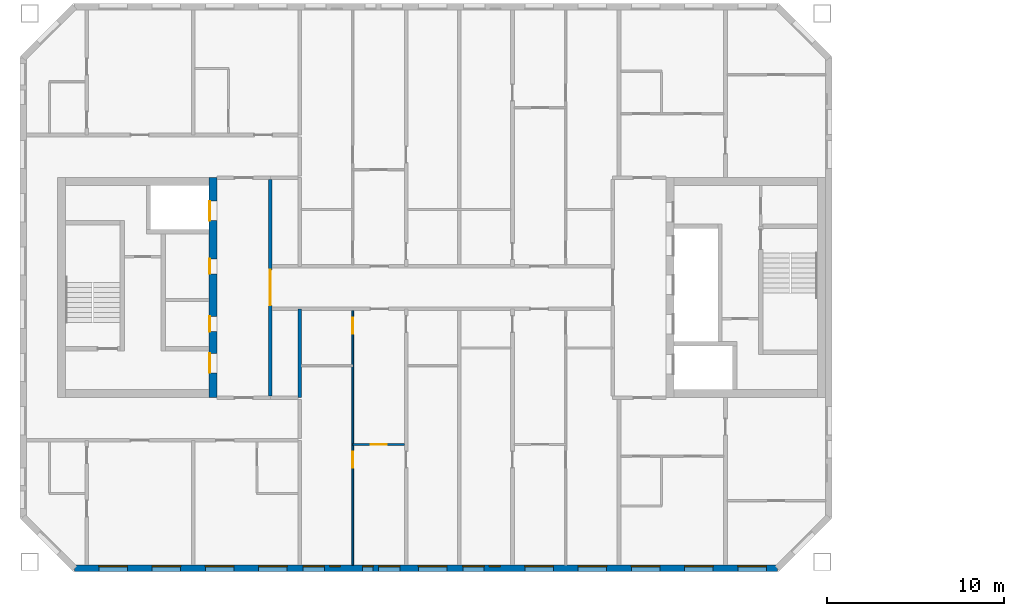
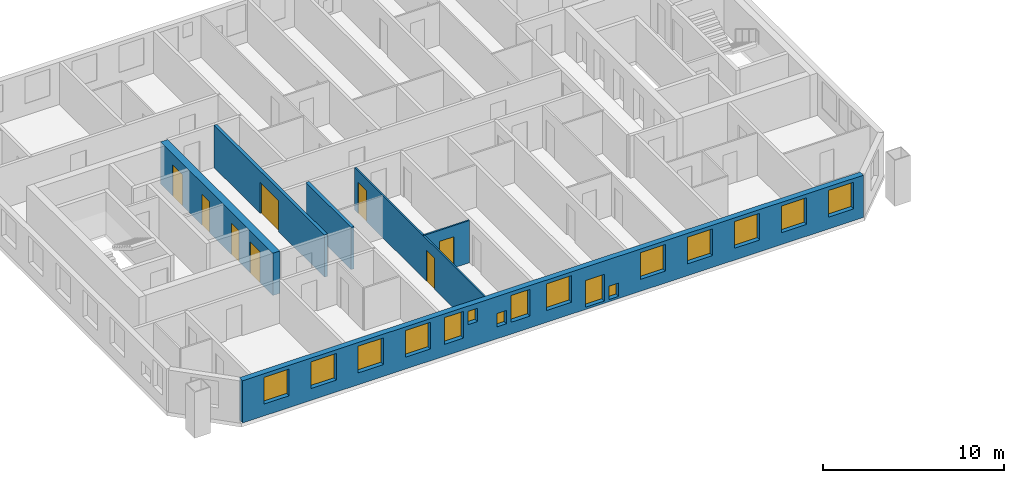
# One storey, part 3 of 15: 16 windows, 8 doors, 6 walls, 24 openings.
"""IFC4 building model written with IfcOpenShell, lengths in metres."""

from ifc_helpers import new_model, si_unit, direction, frame, frame_2d, origin, place, context, subcontext, project, spatial, rectangle, extrude, material, layer, layer_set, type_object, element, fill, save


model = new_model("IFC4")

# Units and contexts
model_context = context("Model", 3, precision=1e-05, world=origin(), true_north=direction((0.0, 1.0)))
body_context = subcontext(model_context, "Body", "Model", "MODEL_VIEW")
ifc_project = project(units=[si_unit("LENGTHUNIT", "METRE"), si_unit("AREAUNIT", "SQUARE_METRE"), si_unit("VOLUMEUNIT", "CUBIC_METRE"), si_unit("PLANEANGLEUNIT", "RADIAN"), si_unit("MASSUNIT", "GRAM", prefix="KILO")], contexts=[model_context])

# Site, building, storey
site_placement = place(None, origin())
site = spatial("IfcSite", under=ifc_project, at=site_placement, CompositionType="ELEMENT")
building_placement = place(site_placement, origin())
building = spatial("IfcBuilding", under=site, at=building_placement, Name="Tuart Gate Housing", CompositionType="ELEMENT")
storey_placement = place(building_placement, frame((0.0, 0.0, 188.199951171875)))
storey = spatial("IfcBuildingStorey", under=building, at=storey_placement, Name="L53", CompositionType="ELEMENT", Elevation=188.199951171875)

# Wall, openings, windows
ifc_material_1 = material(Name="Brick", Category="masonry")
ifc_layer_1 = layer(ifc_material_1, 0.360107421875)
ifc_layer_set_1 = layer_set([ifc_layer_1], Name="Brick pier and spandrel wall 360")
wall_type_1 = type_object("IfcWallType", Name="Brick pier and spandrel wall 360", PredefinedType="STANDARD", material=ifc_layer_set_1)
wall_1_placement = place(storey_placement, frame((33.32470703125, 54.179931640625, 0.0), z_axis=(0.0, 0.0, 1.0), x_axis=(1.0, 0.0, 0.0)))
wall_1 = element("IfcWall", 1, at=wall_1_placement, inside=storey, type_object=wall_type_1, Name="External wall A-S L53", PredefinedType="STANDARD", context=body_context, shape_type="SweptSolid", body=[
    extrude(rectangle(XDim=39.600830078125, YDim=0.360107421875, at=frame_2d((19.80029296875, 0.0))), origin(), (0.0, 0.0, 1.0), 2.85009765625),
])
opening_1_placement = place(wall_1_placement, frame((1.37548828125, 0.0, 0.800048828125)))
opening_1 = element("IfcOpeningElement", 2, at=opening_1_placement, cuts=wall_1, Name="Opening W1", PredefinedType="OPENING", context=body_context, shape_type="SweptSolid", body=[
    extrude(rectangle(XDim=1.60009765625, YDim=1.800048828125, at=frame_2d((0.800048828125, 0.89990234375))), frame((0.0, 0.18994140625, 0.0), z_axis=(0.0, -1.0, 0.0), x_axis=(1.0, 0.0, 0.0)), (0.0, 0.0, 1.0), 0.380126953125),
])
opening_2_placement = place(wall_1_placement, frame((4.37548828125, 0.0, 0.800048828125)))
opening_2 = element("IfcOpeningElement", 3, at=opening_2_placement, cuts=wall_1, Name="Opening W1", PredefinedType="OPENING", context=body_context, shape_type="SweptSolid", body=[
    extrude(rectangle(XDim=1.60009765625, YDim=1.800048828125, at=frame_2d((0.800048828125, 0.89990234375))), frame((0.0, 0.18994140625, 0.0), z_axis=(0.0, -1.0, 0.0), x_axis=(1.0, 0.0, 0.0)), (0.0, 0.0, 1.0), 0.380126953125),
])
opening_3_placement = place(wall_1_placement, frame((7.37548828125, 0.0, 0.800048828125)))
opening_3 = element("IfcOpeningElement", 4, at=opening_3_placement, cuts=wall_1, Name="Opening W1", PredefinedType="OPENING", context=body_context, shape_type="SweptSolid", body=[
    extrude(rectangle(XDim=1.60009765625, YDim=1.800048828125, at=frame_2d((0.800048828125, 0.89990234375))), frame((0.0, 0.18994140625, 0.0), z_axis=(0.0, -1.0, 0.0), x_axis=(1.0, 0.0, 0.0)), (0.0, 0.0, 1.0), 0.380126953125),
])
opening_4_placement = place(wall_1_placement, frame((10.37548828125, 0.0, 0.800048828125)))
opening_4 = element("IfcOpeningElement", 5, at=opening_4_placement, cuts=wall_1, Name="Opening W1", PredefinedType="OPENING", context=body_context, shape_type="SweptSolid", body=[
    extrude(rectangle(XDim=1.60009765625, YDim=1.800048828125, at=frame_2d((0.800048828125, 0.89990234375))), frame((0.0, 0.18994140625, 0.0), z_axis=(0.0, -1.0, 0.0), x_axis=(1.0, 0.0, 0.0)), (0.0, 0.0, 1.0), 0.380126953125),
])
opening_5_placement = place(wall_1_placement, frame((12.87548828125, 0.0, 0.800048828125)))
opening_5 = element("IfcOpeningElement", 6, at=opening_5_placement, cuts=wall_1, Name="Opening W1B", PredefinedType="OPENING", context=body_context, shape_type="SweptSolid", body=[
    extrude(rectangle(XDim=1.199951171875, YDim=1.800048828125, at=frame_2d((0.60009765625, 0.89990234375))), frame((0.0, 0.18994140625, 0.0), z_axis=(0.0, -1.0, 0.0), x_axis=(1.0, 0.0, 0.0)), (0.0, 0.0, 1.0), 0.380126953125),
])
opening_6_placement = place(wall_1_placement, frame((16.225341796875, 0.0, 0.800048828125)))
opening_6 = element("IfcOpeningElement", 7, at=opening_6_placement, cuts=wall_1, Name="Opening W1W", PredefinedType="OPENING", context=body_context, shape_type="SweptSolid", body=[
    extrude(rectangle(XDim=0.60009765625, YDim=0.89990234375, at=frame_2d((0.300048828125, 0.449951171875))), frame((0.0, 0.18994140625, 0.0), z_axis=(0.0, -1.0, 0.0), x_axis=(1.0, 0.0, 0.0)), (0.0, 0.0, 1.0), 0.380126953125),
])
opening_7_placement = place(wall_1_placement, frame((19.37548828125, 0.0, 0.800048828125)))
opening_7 = element("IfcOpeningElement", 8, at=opening_7_placement, cuts=wall_1, Name="Opening W1", PredefinedType="OPENING", context=body_context, shape_type="SweptSolid", body=[
    extrude(rectangle(XDim=1.60009765625, YDim=1.800048828125, at=frame_2d((0.800048828125, 0.89990234375))), frame((0.0, 0.18994140625, 0.0), z_axis=(0.0, -1.0, 0.0), x_axis=(1.0, 0.0, 0.0)), (0.0, 0.0, 1.0), 0.380126953125),
])
opening_8_placement = place(wall_1_placement, frame((21.87548828125, 0.0, 0.14990234375)))
opening_8 = element("IfcOpeningElement", 9, at=opening_8_placement, cuts=wall_1, Name="Opening W1B", PredefinedType="OPENING", context=body_context, shape_type="SweptSolid", body=[
    extrude(rectangle(XDim=1.199951171875, YDim=1.800048828125, at=frame_2d((0.60009765625, 0.89990234375))), frame((0.0, 0.18994140625, 0.0), z_axis=(0.0, -1.0, 0.0), x_axis=(1.0, 0.0, 0.0)), (0.0, 0.0, 1.0), 0.380126953125),
])
opening_9_placement = place(wall_1_placement, frame((25.37548828125, 0.0, 0.800048828125)))
opening_9 = element("IfcOpeningElement", 10, at=opening_9_placement, cuts=wall_1, Name="Opening W1", PredefinedType="OPENING", context=body_context, shape_type="SweptSolid", body=[
    extrude(rectangle(XDim=1.60009765625, YDim=1.800048828125, at=frame_2d((0.800048828125, 0.89990234375))), frame((0.0, 0.18994140625, 0.0), z_axis=(0.0, -1.0, 0.0), x_axis=(1.0, 0.0, 0.0)), (0.0, 0.0, 1.0), 0.380126953125),
])
opening_10_placement = place(wall_1_placement, frame((28.37548828125, 0.0, 0.800048828125)))
opening_10 = element("IfcOpeningElement", 11, at=opening_10_placement, cuts=wall_1, Name="Opening W1", PredefinedType="OPENING", context=body_context, shape_type="SweptSolid", body=[
    extrude(rectangle(XDim=1.60009765625, YDim=1.800048828125, at=frame_2d((0.800048828125, 0.89990234375))), frame((0.0, 0.18994140625, 0.0), z_axis=(0.0, -1.0, 0.0), x_axis=(1.0, 0.0, 0.0)), (0.0, 0.0, 1.0), 0.380126953125),
])
opening_11_placement = place(wall_1_placement, frame((31.37548828125, 0.0, 0.800048828125)))
opening_11 = element("IfcOpeningElement", 12, at=opening_11_placement, cuts=wall_1, Name="Opening W1", PredefinedType="OPENING", context=body_context, shape_type="SweptSolid", body=[
    extrude(rectangle(XDim=1.60009765625, YDim=1.800048828125, at=frame_2d((0.800048828125, 0.89990234375))), frame((0.0, 0.18994140625, 0.0), z_axis=(0.0, -1.0, 0.0), x_axis=(1.0, 0.0, 0.0)), (0.0, 0.0, 1.0), 0.380126953125),
])
opening_12_placement = place(wall_1_placement, frame((34.37548828125, 0.0, 0.800048828125)))
opening_12 = element("IfcOpeningElement", 13, at=opening_12_placement, cuts=wall_1, Name="Opening W1", PredefinedType="OPENING", context=body_context, shape_type="SweptSolid", body=[
    extrude(rectangle(XDim=1.60009765625, YDim=1.800048828125, at=frame_2d((0.800048828125, 0.89990234375))), frame((0.0, 0.18994140625, 0.0), z_axis=(0.0, -1.0, 0.0), x_axis=(1.0, 0.0, 0.0)), (0.0, 0.0, 1.0), 0.380126953125),
])
opening_13_placement = place(wall_1_placement, frame((37.37548828125, 0.0, 0.800048828125)))
opening_13 = element("IfcOpeningElement", 14, at=opening_13_placement, cuts=wall_1, Name="Opening W1", PredefinedType="OPENING", context=body_context, shape_type="SweptSolid", body=[
    extrude(rectangle(XDim=1.60009765625, YDim=1.800048828125, at=frame_2d((0.800048828125, 0.89990234375))), frame((0.0, 0.18994140625, 0.0), z_axis=(0.0, -1.0, 0.0), x_axis=(1.0, 0.0, 0.0)), (0.0, 0.0, 1.0), 0.380126953125),
])
opening_14_placement = place(wall_1_placement, frame((14.37548828125, 0.0, 1.60009765625)))
opening_14 = element("IfcOpeningElement", 15, at=opening_14_placement, cuts=wall_1, Name="Opening W1W", PredefinedType="OPENING", context=body_context, shape_type="SweptSolid", body=[
    extrude(rectangle(XDim=0.60009765625, YDim=0.89990234375, at=frame_2d((0.300048828125, 0.449951171875))), frame((0.0, 0.18994140625, 0.0), z_axis=(0.0, -1.0, 0.0), x_axis=(1.0, 0.0, 0.0)), (0.0, 0.0, 1.0), 0.380126953125),
])
opening_15_placement = place(wall_1_placement, frame((17.12548828125, 0.0, 0.800048828125)))
opening_15 = element("IfcOpeningElement", 16, at=opening_15_placement, cuts=wall_1, Name="Opening W1B", PredefinedType="OPENING", context=body_context, shape_type="SweptSolid", body=[
    extrude(rectangle(XDim=1.199951171875, YDim=1.800048828125, at=frame_2d((0.60009765625, 0.89990234375))), frame((0.0, 0.18994140625, 0.0), z_axis=(0.0, -1.0, 0.0), x_axis=(1.0, 0.0, 0.0)), (0.0, 0.0, 1.0), 0.380126953125),
])
opening_16_placement = place(wall_1_placement, frame((23.37548828125, 0.0, 0.14990234375)))
opening_16 = element("IfcOpeningElement", 17, at=opening_16_placement, cuts=wall_1, Name="Opening W1W", PredefinedType="OPENING", context=body_context, shape_type="SweptSolid", body=[
    extrude(rectangle(XDim=0.60009765625, YDim=0.89990234375, at=frame_2d((0.300048828125, 0.449951171875))), frame((0.0, 0.18994140625, 0.0), z_axis=(0.0, -1.0, 0.0), x_axis=(1.0, 0.0, 0.0)), (0.0, 0.0, 1.0), 0.380126953125),
])
ifc_material_2 = material(Name="Aluminium frame with clear glass", Category="aluminium")
window_type_1 = type_object("IfcWindowType", Name="Punched window 1200 x 1800", PartitioningType="SINGLE_PANEL", PredefinedType="WINDOW", material=ifc_material_2)
window_1_placement = place(opening_5_placement, origin())
window_1 = element("IfcWindow", 18, at=window_1_placement, inside=storey, type_object=window_type_1, Name="Window W1B", OverallHeight=1.800048828125, OverallWidth=1.199951171875, PartitioningType="SINGLE_PANEL", PredefinedType="WINDOW", context=body_context, shape_type="SweptSolid", body=[
    extrude(rectangle(XDim=1.199951171875, YDim=1.800048828125, at=frame_2d((0.60009765625, 0.89990234375))), frame((0.0, 0.150146484375, 0.0), z_axis=(0.0, -1.0, 0.0), x_axis=(1.0, 0.0, 0.0)), (0.0, 0.0, 1.0), 0.06005859375),
])
fill(opening_5, window_1)
window_2_placement = place(opening_8_placement, origin())
window_2 = element("IfcWindow", 19, at=window_2_placement, inside=storey, type_object=window_type_1, Name="Window W1B", OverallHeight=1.800048828125, OverallWidth=1.199951171875, PartitioningType="SINGLE_PANEL", PredefinedType="WINDOW", context=body_context, shape_type="SweptSolid", body=[
    extrude(rectangle(XDim=1.199951171875, YDim=1.800048828125, at=frame_2d((0.60009765625, 0.89990234375))), frame((0.0, 0.150146484375, 0.0), z_axis=(0.0, -1.0, 0.0), x_axis=(1.0, 0.0, 0.0)), (0.0, 0.0, 1.0), 0.06005859375),
])
fill(opening_8, window_2)
window_3_placement = place(opening_15_placement, origin())
window_3 = element("IfcWindow", 20, at=window_3_placement, inside=storey, type_object=window_type_1, Name="Window W1B", OverallHeight=1.800048828125, OverallWidth=1.199951171875, PartitioningType="SINGLE_PANEL", PredefinedType="WINDOW", context=body_context, shape_type="SweptSolid", body=[
    extrude(rectangle(XDim=1.199951171875, YDim=1.800048828125, at=frame_2d((0.60009765625, 0.89990234375))), frame((0.0, 0.150146484375, 0.0), z_axis=(0.0, -1.0, 0.0), x_axis=(1.0, 0.0, 0.0)), (0.0, 0.0, 1.0), 0.06005859375),
])
fill(opening_15, window_3)
ifc_material_3 = material(Name="Aluminium frame with clear glass", Category="aluminium")
window_type_2 = type_object("IfcWindowType", Name="Punched window 1600 x 1800", PartitioningType="SINGLE_PANEL", PredefinedType="WINDOW", material=ifc_material_3)
window_4_placement = place(opening_1_placement, origin())
window_4 = element("IfcWindow", 21, at=window_4_placement, inside=storey, type_object=window_type_2, Name="Window W1", OverallHeight=1.800048828125, OverallWidth=1.60009765625, PartitioningType="SINGLE_PANEL", PredefinedType="WINDOW", context=body_context, shape_type="SweptSolid", body=[
    extrude(rectangle(XDim=1.60009765625, YDim=1.800048828125, at=frame_2d((0.800048828125, 0.89990234375))), frame((0.0, 0.150146484375, 0.0), z_axis=(0.0, -1.0, 0.0), x_axis=(1.0, 0.0, 0.0)), (0.0, 0.0, 1.0), 0.06005859375),
])
fill(opening_1, window_4)
window_5_placement = place(opening_2_placement, origin())
window_5 = element("IfcWindow", 22, at=window_5_placement, inside=storey, type_object=window_type_2, Name="Window W1", OverallHeight=1.800048828125, OverallWidth=1.60009765625, PartitioningType="SINGLE_PANEL", PredefinedType="WINDOW", context=body_context, shape_type="SweptSolid", body=[
    extrude(rectangle(XDim=1.60009765625, YDim=1.800048828125, at=frame_2d((0.800048828125, 0.89990234375))), frame((0.0, 0.150146484375, 0.0), z_axis=(0.0, -1.0, 0.0), x_axis=(1.0, 0.0, 0.0)), (0.0, 0.0, 1.0), 0.06005859375),
])
fill(opening_2, window_5)
window_6_placement = place(opening_3_placement, origin())
window_6 = element("IfcWindow", 23, at=window_6_placement, inside=storey, type_object=window_type_2, Name="Window W1", OverallHeight=1.800048828125, OverallWidth=1.60009765625, PartitioningType="SINGLE_PANEL", PredefinedType="WINDOW", context=body_context, shape_type="SweptSolid", body=[
    extrude(rectangle(XDim=1.60009765625, YDim=1.800048828125, at=frame_2d((0.800048828125, 0.89990234375))), frame((0.0, 0.150146484375, 0.0), z_axis=(0.0, -1.0, 0.0), x_axis=(1.0, 0.0, 0.0)), (0.0, 0.0, 1.0), 0.06005859375),
])
fill(opening_3, window_6)
window_7_placement = place(opening_4_placement, origin())
window_7 = element("IfcWindow", 24, at=window_7_placement, inside=storey, type_object=window_type_2, Name="Window W1", OverallHeight=1.800048828125, OverallWidth=1.60009765625, PartitioningType="SINGLE_PANEL", PredefinedType="WINDOW", context=body_context, shape_type="SweptSolid", body=[
    extrude(rectangle(XDim=1.60009765625, YDim=1.800048828125, at=frame_2d((0.800048828125, 0.89990234375))), frame((0.0, 0.150146484375, 0.0), z_axis=(0.0, -1.0, 0.0), x_axis=(1.0, 0.0, 0.0)), (0.0, 0.0, 1.0), 0.06005859375),
])
fill(opening_4, window_7)
window_8_placement = place(opening_7_placement, origin())
window_8 = element("IfcWindow", 25, at=window_8_placement, inside=storey, type_object=window_type_2, Name="Window W1", OverallHeight=1.800048828125, OverallWidth=1.60009765625, PartitioningType="SINGLE_PANEL", PredefinedType="WINDOW", context=body_context, shape_type="SweptSolid", body=[
    extrude(rectangle(XDim=1.60009765625, YDim=1.800048828125, at=frame_2d((0.800048828125, 0.89990234375))), frame((0.0, 0.150146484375, 0.0), z_axis=(0.0, -1.0, 0.0), x_axis=(1.0, 0.0, 0.0)), (0.0, 0.0, 1.0), 0.06005859375),
])
fill(opening_7, window_8)
window_9_placement = place(opening_9_placement, origin())
window_9 = element("IfcWindow", 26, at=window_9_placement, inside=storey, type_object=window_type_2, Name="Window W1", OverallHeight=1.800048828125, OverallWidth=1.60009765625, PartitioningType="SINGLE_PANEL", PredefinedType="WINDOW", context=body_context, shape_type="SweptSolid", body=[
    extrude(rectangle(XDim=1.60009765625, YDim=1.800048828125, at=frame_2d((0.800048828125, 0.89990234375))), frame((0.0, 0.150146484375, 0.0), z_axis=(0.0, -1.0, 0.0), x_axis=(1.0, 0.0, 0.0)), (0.0, 0.0, 1.0), 0.06005859375),
])
fill(opening_9, window_9)
window_10_placement = place(opening_10_placement, origin())
window_10 = element("IfcWindow", 27, at=window_10_placement, inside=storey, type_object=window_type_2, Name="Window W1", OverallHeight=1.800048828125, OverallWidth=1.60009765625, PartitioningType="SINGLE_PANEL", PredefinedType="WINDOW", context=body_context, shape_type="SweptSolid", body=[
    extrude(rectangle(XDim=1.60009765625, YDim=1.800048828125, at=frame_2d((0.800048828125, 0.89990234375))), frame((0.0, 0.150146484375, 0.0), z_axis=(0.0, -1.0, 0.0), x_axis=(1.0, 0.0, 0.0)), (0.0, 0.0, 1.0), 0.06005859375),
])
fill(opening_10, window_10)
window_11_placement = place(opening_11_placement, origin())
window_11 = element("IfcWindow", 28, at=window_11_placement, inside=storey, type_object=window_type_2, Name="Window W1", OverallHeight=1.800048828125, OverallWidth=1.60009765625, PartitioningType="SINGLE_PANEL", PredefinedType="WINDOW", context=body_context, shape_type="SweptSolid", body=[
    extrude(rectangle(XDim=1.60009765625, YDim=1.800048828125, at=frame_2d((0.800048828125, 0.89990234375))), frame((0.0, 0.150146484375, 0.0), z_axis=(0.0, -1.0, 0.0), x_axis=(1.0, 0.0, 0.0)), (0.0, 0.0, 1.0), 0.06005859375),
])
fill(opening_11, window_11)
window_12_placement = place(opening_12_placement, origin())
window_12 = element("IfcWindow", 29, at=window_12_placement, inside=storey, type_object=window_type_2, Name="Window W1", OverallHeight=1.800048828125, OverallWidth=1.60009765625, PartitioningType="SINGLE_PANEL", PredefinedType="WINDOW", context=body_context, shape_type="SweptSolid", body=[
    extrude(rectangle(XDim=1.60009765625, YDim=1.800048828125, at=frame_2d((0.800048828125, 0.89990234375))), frame((0.0, 0.150146484375, 0.0), z_axis=(0.0, -1.0, 0.0), x_axis=(1.0, 0.0, 0.0)), (0.0, 0.0, 1.0), 0.06005859375),
])
fill(opening_12, window_12)
window_13_placement = place(opening_13_placement, origin())
window_13 = element("IfcWindow", 30, at=window_13_placement, inside=storey, type_object=window_type_2, Name="Window W1", OverallHeight=1.800048828125, OverallWidth=1.60009765625, PartitioningType="SINGLE_PANEL", PredefinedType="WINDOW", context=body_context, shape_type="SweptSolid", body=[
    extrude(rectangle(XDim=1.60009765625, YDim=1.800048828125, at=frame_2d((0.800048828125, 0.89990234375))), frame((0.0, 0.150146484375, 0.0), z_axis=(0.0, -1.0, 0.0), x_axis=(1.0, 0.0, 0.0)), (0.0, 0.0, 1.0), 0.06005859375),
])
fill(opening_13, window_13)
ifc_material_4 = material(Name="Aluminium frame with clear glass", Category="aluminium")
window_type_3 = type_object("IfcWindowType", Name="Punched window 600 x 900", PartitioningType="SINGLE_PANEL", PredefinedType="WINDOW", material=ifc_material_4)
window_14_placement = place(opening_6_placement, origin())
window_14 = element("IfcWindow", 31, at=window_14_placement, inside=storey, type_object=window_type_3, Name="Window W1W", OverallHeight=0.89990234375, OverallWidth=0.60009765625, PartitioningType="SINGLE_PANEL", PredefinedType="WINDOW", context=body_context, shape_type="SweptSolid", body=[
    extrude(rectangle(XDim=0.60009765625, YDim=0.89990234375, at=frame_2d((0.300048828125, 0.449951171875))), frame((0.0, 0.150146484375, 0.0), z_axis=(0.0, -1.0, 0.0), x_axis=(1.0, 0.0, 0.0)), (0.0, 0.0, 1.0), 0.06005859375),
])
fill(opening_6, window_14)
window_15_placement = place(opening_14_placement, origin())
window_15 = element("IfcWindow", 32, at=window_15_placement, inside=storey, type_object=window_type_3, Name="Window W1W", OverallHeight=0.89990234375, OverallWidth=0.60009765625, PartitioningType="SINGLE_PANEL", PredefinedType="WINDOW", context=body_context, shape_type="SweptSolid", body=[
    extrude(rectangle(XDim=0.60009765625, YDim=0.89990234375, at=frame_2d((0.300048828125, 0.449951171875))), frame((0.0, 0.150146484375, 0.0), z_axis=(0.0, -1.0, 0.0), x_axis=(1.0, 0.0, 0.0)), (0.0, 0.0, 1.0), 0.06005859375),
])
fill(opening_14, window_15)
window_16_placement = place(opening_16_placement, origin())
window_16 = element("IfcWindow", 33, at=window_16_placement, inside=storey, type_object=window_type_3, Name="Window W1W", OverallHeight=0.89990234375, OverallWidth=0.60009765625, PartitioningType="SINGLE_PANEL", PredefinedType="WINDOW", context=body_context, shape_type="SweptSolid", body=[
    extrude(rectangle(XDim=0.60009765625, YDim=0.89990234375, at=frame_2d((0.300048828125, 0.449951171875))), frame((0.0, 0.150146484375, 0.0), z_axis=(0.0, -1.0, 0.0), x_axis=(1.0, 0.0, 0.0)), (0.0, 0.0, 1.0), 0.06005859375),
])
fill(opening_16, window_16)

# Wall, openings, doors
ifc_material_5 = material(Name="Concrete C40", Category="concrete")
ifc_layer_2 = layer(ifc_material_5, 0.449951171875)
ifc_layer_set_2 = layer_set([ifc_layer_2], Name="Core wall 450 C40")
wall_type_2 = type_object("IfcWallType", Name="Core wall 450 C40", PredefinedType="SHEAR", material=ifc_layer_set_2)
wall_2_placement = place(storey_placement, frame((41.135009765625, 76.199951171875, 0.0), z_axis=(0.0, 0.0, 1.0), x_axis=(0.0, -1.0, 0.0)))
wall_2 = element("IfcWall", 34, at=wall_2_placement, inside=storey, type_object=wall_type_2, Name="Core wall AK front", PredefinedType="SHEAR", context=body_context, shape_type="SweptSolid", body=[
    extrude(rectangle(XDim=12.39990234375, YDim=0.449951171875, at=frame_2d((6.199951171875, 0.0))), origin(), (0.0, 0.0, 1.0), 2.85009765625),
])
opening_17_placement = place(wall_2_placement, frame((1.324951171875, 0.0, 0.0)))
opening_17 = element("IfcOpeningElement", 35, at=opening_17_placement, cuts=wall_2, Name="Opening LD-FA2", PredefinedType="OPENING", context=body_context, shape_type="SweptSolid", body=[
    extrude(rectangle(XDim=1.10009765625, YDim=2.10009765625, at=frame_2d((0.550048828125, 1.050048828125))), frame((0.0, 0.23486328125, 0.0), z_axis=(0.0, -1.0, 0.0), x_axis=(1.0, 0.0, 0.0)), (0.0, 0.0, 1.0), 0.469970703125),
])
opening_18_placement = place(wall_2_placement, frame((4.574951171875, 0.0, 0.0)))
opening_18 = element("IfcOpeningElement", 36, at=opening_18_placement, cuts=wall_2, Name="Opening D1866", PredefinedType="OPENING", context=body_context, shape_type="SweptSolid", body=[
    extrude(rectangle(XDim=0.85009765625, YDim=2.10009765625, at=frame_2d((0.425048828125, 1.050048828125))), frame((0.0, 0.23486328125, 0.0), z_axis=(0.0, -1.0, 0.0), x_axis=(1.0, 0.0, 0.0)), (0.0, 0.0, 1.0), 0.469970703125),
])
opening_19_placement = place(wall_2_placement, frame((7.824951171875, 0.0, 0.0)))
opening_19 = element("IfcOpeningElement", 37, at=opening_19_placement, cuts=wall_2, Name="Opening D1867", PredefinedType="OPENING", context=body_context, shape_type="SweptSolid", body=[
    extrude(rectangle(XDim=0.85009765625, YDim=2.10009765625, at=frame_2d((0.425048828125, 1.050048828125))), frame((0.0, 0.23486328125, 0.0), z_axis=(0.0, -1.0, 0.0), x_axis=(1.0, 0.0, 0.0)), (0.0, 0.0, 1.0), 0.469970703125),
])
opening_20_placement = place(wall_2_placement, frame((9.89990234375, 0.0, 0.0)))
opening_20 = element("IfcOpeningElement", 38, at=opening_20_placement, cuts=wall_2, Name="Opening D1865", PredefinedType="OPENING", context=body_context, shape_type="SweptSolid", body=[
    extrude(rectangle(XDim=1.10009765625, YDim=2.10009765625, at=frame_2d((0.550048828125, 1.050048828125))), frame((0.0, 0.23486328125, 0.0), z_axis=(0.0, -1.0, 0.0), x_axis=(1.0, 0.0, 0.0)), (0.0, 0.0, 1.0), 0.469970703125),
])
ifc_material_6 = material(Name="Stainless steel", Category="steel")
door_type_1 = type_object("IfcDoorType", Name="Landing door 1100 x 2100", OperationType="DOUBLE_DOOR_SLIDING", PredefinedType="DOOR", material=ifc_material_6)
door_1_placement = place(opening_17_placement, origin())
door_1 = element("IfcDoor", 39, at=door_1_placement, inside=storey, type_object=door_type_1, Name="Lift landing door FA2", OperationType="DOUBLE_DOOR_SLIDING", OverallHeight=2.10009765625, OverallWidth=1.10009765625, PredefinedType="DOOR", context=body_context, shape_type="SweptSolid", body=[
    extrude(rectangle(XDim=1.10009765625, YDim=2.10009765625, at=frame_2d((0.550048828125, 1.050048828125))), frame((0.0, -0.16015625, 0.0), z_axis=(0.0, -1.0, 0.0), x_axis=(1.0, 0.0, 0.0)), (0.0, 0.0, 1.0), 0.050048828125),
])
fill(opening_17, door_1)
ifc_material_7 = material(Name="Steel fire door", Category="steel")
door_type_2 = type_object("IfcDoorType", Name="Lobby door 1100 x 2100 RH", OperationType="SINGLE_SWING_RIGHT", PredefinedType="DOOR", material=ifc_material_7)
door_2_placement = place(opening_20_placement, frame((1.10009765625, 0.0, 0.0), z_axis=(0.0, 0.0, 1.0), x_axis=(-1.0, 0.0, 0.0)))
door_2 = element("IfcDoor", 40, at=door_2_placement, inside=storey, type_object=door_type_2, Name="Lobby entry door AK.EN", OperationType="SINGLE_SWING_RIGHT", OverallHeight=2.10009765625, OverallWidth=1.10009765625, PredefinedType="DOOR", context=body_context, shape_type="SweptSolid", body=[
    extrude(rectangle(XDim=1.10009765625, YDim=2.10009765625, at=frame_2d((0.550048828125, 1.050048828125))), frame((0.0, 0.210205078125, 0.0), z_axis=(0.0, -1.0, 0.0), x_axis=(1.0, 0.0, 0.0)), (0.0, 0.0, 1.0), 0.050048828125),
])
fill(opening_20, door_2)
ifc_material_8 = material(Name="Steel fire door", Category="steel")
door_type_3 = type_object("IfcDoorType", Name="Service door 850 x 2100 RH", OperationType="SINGLE_SWING_RIGHT", PredefinedType="DOOR", material=ifc_material_8)
door_3_placement = place(opening_18_placement, frame((0.85009765625, 0.0, 0.0), z_axis=(0.0, 0.0, 1.0), x_axis=(-1.0, 0.0, 0.0)))
door_3 = element("IfcDoor", 41, at=door_3_placement, inside=storey, type_object=door_type_3, Name="Service room door AK.FR1", OperationType="SINGLE_SWING_RIGHT", OverallHeight=2.10009765625, OverallWidth=0.85009765625, PredefinedType="DOOR", context=body_context, shape_type="SweptSolid", body=[
    extrude(rectangle(XDim=0.85009765625, YDim=2.10009765625, at=frame_2d((0.425048828125, 1.050048828125))), frame((0.0, 0.210205078125, 0.0), z_axis=(0.0, -1.0, 0.0), x_axis=(1.0, 0.0, 0.0)), (0.0, 0.0, 1.0), 0.050048828125),
])
fill(opening_18, door_3)
door_4_placement = place(opening_19_placement, frame((0.85009765625, 0.0, 0.0), z_axis=(0.0, 0.0, 1.0), x_axis=(-1.0, 0.0, 0.0)))
door_4 = element("IfcDoor", 42, at=door_4_placement, inside=storey, type_object=door_type_3, Name="Service room door AK.FR2", OperationType="SINGLE_SWING_RIGHT", OverallHeight=2.10009765625, OverallWidth=0.85009765625, PredefinedType="DOOR", context=body_context, shape_type="SweptSolid", body=[
    extrude(rectangle(XDim=0.85009765625, YDim=2.10009765625, at=frame_2d((0.425048828125, 1.050048828125))), frame((0.0, 0.210205078125, 0.0), z_axis=(0.0, -1.0, 0.0), x_axis=(1.0, 0.0, 0.0)), (0.0, 0.0, 1.0), 0.050048828125),
])
fill(opening_19, door_4)

# Wall, opening, door
ifc_material_9 = material(Name="Plasterboard partition")
ifc_layer_3 = layer(ifc_material_9, 0.199951171875)
ifc_layer_set_3 = layer_set([ifc_layer_3], Name="Lobby wall 200")
wall_type_3 = type_object("IfcWallType", Name="Lobby wall 200", PredefinedType="PARTITIONING", material=ifc_layer_set_3)
wall_3_placement = place(storey_placement, frame((44.360107421875, 63.89990234375, 0.0), z_axis=(0.0, 0.0, 1.0), x_axis=(0.0, 1.0, 0.0)))
wall_3 = element("IfcWall", 43, at=wall_3_placement, inside=storey, type_object=wall_type_3, Name="Lift lobby wall AK", PredefinedType="PARTITIONING", context=body_context, shape_type="SweptSolid", body=[
    extrude(rectangle(XDim=12.2001953125, YDim=0.199951171875, at=frame_2d((6.10009765625, 0.0))), origin(), (0.0, 0.0, 1.0), 2.85009765625),
])
opening_21_placement = place(wall_3_placement, frame((5.10009765625, 0.0, 0.0)))
opening_21 = element("IfcOpeningElement", 44, at=opening_21_placement, cuts=wall_3, Name="Opening D1868", PredefinedType="OPENING", context=body_context, shape_type="SweptSolid", body=[
    extrude(rectangle(XDim=2.0, YDim=2.10009765625, at=frame_2d((1.0, 1.050048828125))), frame((0.0, 0.10986328125, 0.0), z_axis=(0.0, -1.0, 0.0), x_axis=(1.0, 0.0, 0.0)), (0.0, 0.0, 1.0), 0.219970703125),
])
ifc_material_10 = material(Name="Steel fire door", Category="steel")
door_type_4 = type_object("IfcDoorType", Name="Smoke door 2000 x 2100", OperationType="DOUBLE_DOOR_SINGLE_SWING", PredefinedType="DOOR", material=ifc_material_10)
door_5_placement = place(opening_21_placement, origin())
door_5 = element("IfcDoor", 45, at=door_5_placement, inside=storey, type_object=door_type_4, Name="Lift lobby smoke door AK", OperationType="DOUBLE_DOOR_SINGLE_SWING", OverallHeight=2.10009765625, OverallWidth=2.0, PredefinedType="DOOR", context=body_context, shape_type="SweptSolid", body=[
    extrude(rectangle(XDim=2.0, YDim=2.10009765625, at=frame_2d((1.0, 1.050048828125))), frame((0.0, 0.02490234375, 0.0), z_axis=(0.0, -1.0, 0.0), x_axis=(1.0, 0.0, 0.0)), (0.0, 0.0, 1.0), 0.050048828125),
])
fill(opening_21, door_5)

ifc_material_11 = material(Name="Gypsum board on steel studs", Category="steel")
ifc_layer_4 = layer(ifc_material_11, 0.10009765625)
ifc_layer_set_4 = layer_set([ifc_layer_4], Name="Partition 100")
wall_type_4 = type_object("IfcWallType", Name="Partition 100", PredefinedType="PARTITIONING", material=ifc_layer_set_4)
wall_4_placement = place(storey_placement, frame((49.0, 61.159912109375, 0.0), z_axis=(0.0, 0.0, 1.0), x_axis=(1.0, 0.0, 0.0)))
wall_4 = element("IfcWall", 46, at=wall_4_placement, inside=storey, type_object=wall_type_4, Name="Partition 100", PredefinedType="PARTITIONING", context=body_context, shape_type="SweptSolid", body=[
    extrude(rectangle(XDim=2.89990234375, YDim=0.10009765625, at=frame_2d((1.449951171875, 0.0))), origin(), (0.0, 0.0, 1.0), 2.85009765625),
])
opening_22_placement = place(wall_4_placement, frame((1.0, 0.0, 0.0)))
opening_22 = element("IfcOpeningElement", 47, at=opening_22_placement, cuts=wall_4, Name="Opening D1888", PredefinedType="OPENING", context=body_context, shape_type="SweptSolid", body=[
    extrude(rectangle(XDim=0.89990234375, YDim=2.10009765625, at=frame_2d((0.449951171875, 1.050048828125))), frame((0.0, 0.06005859375, 0.0), z_axis=(0.0, -1.0, 0.0), x_axis=(1.0, 0.0, 0.0)), (0.0, 0.0, 1.0), 0.1201171875),
])
ifc_material_12 = material(Name="Timber door leaf in steel frame", Category="steel")
door_type_5 = type_object("IfcDoorType", Name="Internal door 900", OperationType="SINGLE_SWING_LEFT", PredefinedType="DOOR", material=ifc_material_12)
door_6_placement = place(opening_22_placement, origin())
door_6 = element("IfcDoor", 48, at=door_6_placement, inside=storey, type_object=door_type_5, Name="Internal door", OperationType="SINGLE_SWING_LEFT", OverallHeight=2.10009765625, OverallWidth=0.89990234375, PredefinedType="DOOR", context=body_context, shape_type="SweptSolid", body=[
    extrude(rectangle(XDim=0.89990234375, YDim=2.10009765625, at=frame_2d((0.449951171875, 1.050048828125))), frame((0.0, 0.02490234375, 0.0), z_axis=(0.0, -1.0, 0.0), x_axis=(1.0, 0.0, 0.0)), (0.0, 0.0, 1.0), 0.050048828125),
])
fill(opening_22, door_6)

# Wall, openings, doors
wall_5_placement = place(storey_placement, frame((49.0, 54.360107421875, 0.0), z_axis=(0.0, 0.0, 1.0), x_axis=(0.0, 1.0, 0.0)))
wall_5 = element("IfcWall", 49, at=wall_5_placement, inside=storey, type_object=wall_type_4, Name="Partition 100", PredefinedType="PARTITIONING", context=body_context, shape_type="SweptSolid", body=[
    extrude(rectangle(XDim=14.33984375, YDim=0.10009765625, at=frame_2d((7.169921875, 0.0))), origin(), (0.0, 0.0, 1.0), 2.85009765625),
])
opening_23_placement = place(wall_5_placement, frame((5.5, 0.0, 0.0)))
opening_23 = element("IfcOpeningElement", 50, at=opening_23_placement, cuts=wall_5, Name="Opening D1883", PredefinedType="OPENING", context=body_context, shape_type="SweptSolid", body=[
    extrude(rectangle(XDim=0.89990234375, YDim=2.10009765625, at=frame_2d((0.449951171875, 1.050048828125))), frame((0.0, 0.06005859375, 0.0), z_axis=(0.0, -1.0, 0.0), x_axis=(1.0, 0.0, 0.0)), (0.0, 0.0, 1.0), 0.1201171875),
])
opening_24_placement = place(wall_5_placement, frame((13.0400390625, 0.0, 0.0)))
opening_24 = element("IfcOpeningElement", 51, at=opening_24_placement, cuts=wall_5, Name="Opening D1882", PredefinedType="OPENING", context=body_context, shape_type="SweptSolid", body=[
    extrude(rectangle(XDim=0.89990234375, YDim=2.10009765625, at=frame_2d((0.449951171875, 1.050048828125))), frame((0.0, 0.06005859375, 0.0), z_axis=(0.0, -1.0, 0.0), x_axis=(1.0, 0.0, 0.0)), (0.0, 0.0, 1.0), 0.1201171875),
])
ifc_material_13 = material(Name="Timber door leaf in steel frame", Category="steel")
door_type_6 = type_object("IfcDoorType", Name="Bathroom door 900 RH", OperationType="SINGLE_SWING_RIGHT", PredefinedType="DOOR", material=ifc_material_13)
door_7_placement = place(opening_24_placement, origin())
door_7 = element("IfcDoor", 52, at=door_7_placement, inside=storey, type_object=door_type_6, Name="Bathroom door", OperationType="SINGLE_SWING_RIGHT", OverallHeight=2.10009765625, OverallWidth=0.89990234375, PredefinedType="DOOR", context=body_context, shape_type="SweptSolid", body=[
    extrude(rectangle(XDim=0.89990234375, YDim=2.10009765625, at=frame_2d((0.449951171875, 1.050048828125))), frame((0.0, 0.02490234375, 0.0), z_axis=(0.0, -1.0, 0.0), x_axis=(1.0, 0.0, 0.0)), (0.0, 0.0, 1.0), 0.050048828125),
])
fill(opening_24, door_7)
ifc_material_14 = material(Name="Timber door leaf in steel frame", Category="steel")
door_type_7 = type_object("IfcDoorType", Name="Internal door 900 RH", OperationType="SINGLE_SWING_RIGHT", PredefinedType="DOOR", material=ifc_material_14)
door_8_placement = place(opening_23_placement, origin())
door_8 = element("IfcDoor", 53, at=door_8_placement, inside=storey, type_object=door_type_7, Name="Internal door", OperationType="SINGLE_SWING_RIGHT", OverallHeight=2.10009765625, OverallWidth=0.89990234375, PredefinedType="DOOR", context=body_context, shape_type="SweptSolid", body=[
    extrude(rectangle(XDim=0.89990234375, YDim=2.10009765625, at=frame_2d((0.449951171875, 1.050048828125))), frame((0.0, 0.02490234375, 0.0), z_axis=(0.0, -1.0, 0.0), x_axis=(1.0, 0.0, 0.0)), (0.0, 0.0, 1.0), 0.050048828125),
])
fill(opening_23, door_8)

# Wall
ifc_material_15 = material(Name="Concrete C40", Category="concrete")
ifc_layer_5 = layer(ifc_material_15, 0.199951171875)
ifc_layer_set_5 = layer_set([ifc_layer_5], Name="Party wall concrete C40 200")
wall_type_5 = type_object("IfcWallType", Name="Party wall concrete C40 200", PredefinedType="SOLIDWALL", material=ifc_layer_set_5)
wall_6_placement = place(storey_placement, frame((46.0, 63.800048828125, 0.0), z_axis=(0.0, 0.0, 1.0), x_axis=(0.0, 1.0, 0.0)))
element("IfcWall", 54, at=wall_6_placement, inside=storey, type_object=wall_type_5, Name="Party wall concrete C40 200", PredefinedType="SOLIDWALL", context=body_context, shape_type="SweptSolid", body=[
    extrude(rectangle(XDim=5.0, YDim=0.199951171875, at=frame_2d((2.5, 0.0))), origin(), (0.0, 0.0, 1.0), 2.85009765625),
])

save(model, "model.ifc")
